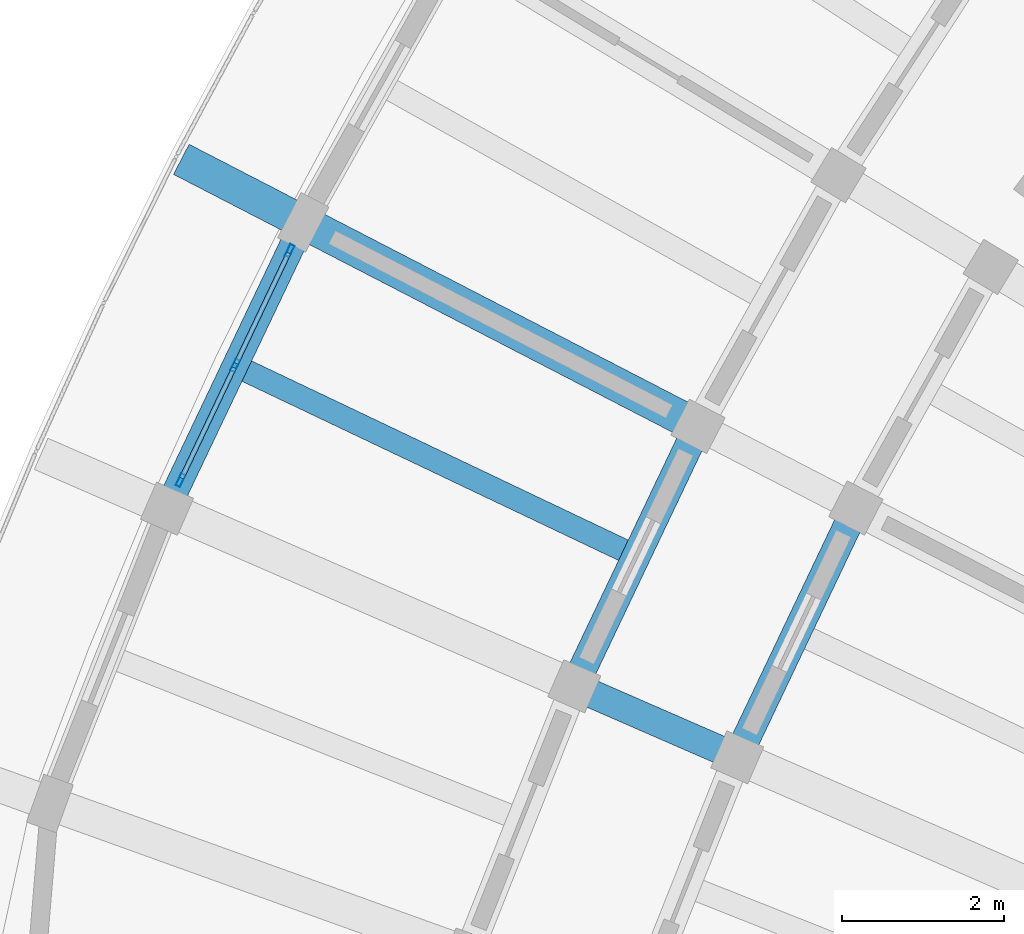
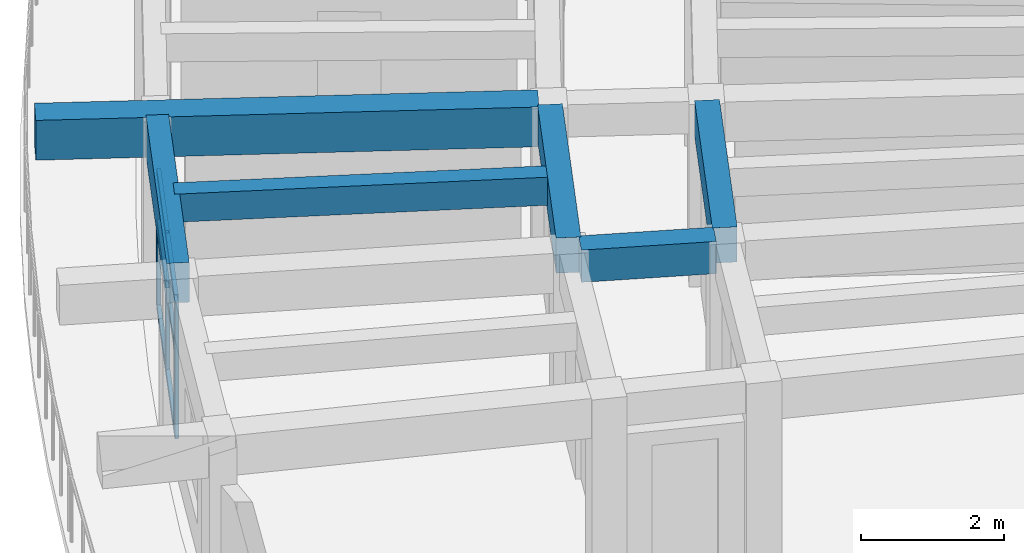
# One storey, part 11 of 62: 9 members, 6 beams, 1 element without a shape of its own.
"""IFC4 building model written with IfcOpenShell, lengths in metres."""

from ifc_helpers import new_model, si_unit, direction, frame, origin, origin_2d, place, context, subcontext, project, spatial, rectangle, hollow_rectangle, extrude, material, material_profile, profile_set, type_object, element, aggregate, save


model = new_model("IFC4")

# Units and contexts
model_context = context("Model", 3, precision=1e-05, world=origin(), true_north=direction((0.0, 1.0)))
body_context = subcontext(model_context, "Body", "Model", "MODEL_VIEW")
ifc_project = project(units=[si_unit("LENGTHUNIT", "METRE"), si_unit("AREAUNIT", "SQUARE_METRE"), si_unit("VOLUMEUNIT", "CUBIC_METRE"), si_unit("PLANEANGLEUNIT", "RADIAN"), si_unit("MASSUNIT", "GRAM", prefix="KILO")], contexts=[model_context])

# Site, building, storey
site_placement = place(None, origin())
site = spatial("IfcSite", under=ifc_project, at=site_placement, CompositionType="ELEMENT")
building_placement = place(site_placement, origin())
building = spatial("IfcBuilding", under=site, at=building_placement, Name="Tanwirah Colonnade Gardens", CompositionType="ELEMENT")
storey_placement = place(building_placement, frame((0.0, 0.0, 32.360107421875)))
storey = spatial("IfcBuildingStorey", under=building, at=storey_placement, Name="L09", CompositionType="ELEMENT", Elevation=32.360107421875)

# Beams
ifc_material_1 = material(Name="Precast concrete C40/50", Category="concrete")
ifc_material_profile_1 = material_profile(ifc_material_1, rectangle(XDim=0.35009765625, YDim=0.550048828125, at=origin_2d()), Name="PC-BM 350x550")
ifc_profile_set_1 = profile_set([ifc_material_profile_1], Name="Precast concrete C40/50")
beam_type_1 = type_object("IfcBeamType", Name="BM-PC350A", PredefinedType="BEAM", material=ifc_profile_set_1)
beam_1_placement = place(storey_placement, frame((17.3330078125, 80.981201171875, 2.83984375), z_axis=(-0.916681481826, 0.399618644306, 0.0), x_axis=(-0.399618644306, -0.916681481826, 0.0)))
element("IfcBeam", 1, at=beam_1_placement, inside=storey, type_object=beam_type_1, Name="Block A L09 Corridor Tie Beam 16", PredefinedType="BEAM", context=body_context, shape_type="SweptSolid", body=[
    extrude(rectangle(XDim=0.35009765625, YDim=0.550048828125, at=origin_2d()), origin(), (0.0, 0.0, 1.0), 1.89990234375),
])
ifc_material_profile_2 = material_profile(ifc_material_1, rectangle(XDim=0.35009765625, YDim=0.60009765625, at=origin_2d()), Name="PC-BM 350x600")
ifc_profile_set_2 = profile_set([ifc_material_profile_2], Name="Precast concrete C40/50")
beam_type_2 = type_object("IfcBeamType", Name="BM-PC350B", PredefinedType="BEAM", material=ifc_profile_set_2)
beam_2_placement = place(storey_placement, frame((18.87451171875, 83.872314453125, 2.81494140625), z_axis=(-0.429620507728, -0.903009534468, 0.0), x_axis=(0.903009534468, -0.429620507728, 0.0)))
element("IfcBeam", 2, at=beam_2_placement, inside=storey, type_object=beam_type_2, Name="Block A L09 Circumferential Beam 15-R1", PredefinedType="BEAM", context=body_context, shape_type="SweptSolid", body=[
    extrude(rectangle(XDim=0.35009765625, YDim=0.60009765625, at=origin_2d()), origin(), (0.0, 0.0, 1.0), 3.1181640625),
])
beam_3_placement = place(storey_placement, frame((16.920166015625, 84.882568359375, 2.81494140625), z_axis=(-0.4295908638, -0.90302363742, 0.0), x_axis=(0.90302363742, -0.4295908638, 0.0)))
element("IfcBeam", 3, at=beam_3_placement, inside=storey, type_object=beam_type_2, Name="Block A L09 Circumferential Beam 15-R2", PredefinedType="BEAM", context=body_context, shape_type="SweptSolid", body=[
    extrude(rectangle(XDim=0.35009765625, YDim=0.60009765625, at=origin_2d()), origin(), (0.0, 0.0, 1.0), 3.26318359375),
])
ifc_material_2 = material(Name="Precast concrete C45/55", Category="concrete")
ifc_material_profile_3 = material_profile(ifc_material_2, rectangle(XDim=0.419921875, YDim=0.679931640625, at=origin_2d()), Name="PC-BM 420x680")
ifc_profile_set_3 = profile_set([ifc_material_profile_3], Name="Precast concrete C45/55")
beam_type_3 = type_object("IfcBeamType", Name="BM-PC420", PredefinedType="BEAM", material=ifc_profile_set_3)
beam_4_placement = place(storey_placement, frame((16.851318359375, 85.0869140625, 2.77490234375), z_axis=(-0.888348690665, 0.459169471758, 0.0), x_axis=(-0.459169471758, -0.888348690665, 0.0)))
element("IfcBeam", 4, at=beam_4_placement, inside=storey, type_object=beam_type_3, Name="Block A L09 Outer Radial Precast Girder 15", PredefinedType="BEAM", context=body_context, shape_type="SweptSolid", body=[
    extrude(rectangle(XDim=0.419921875, YDim=0.679931640625, at=origin_2d()), origin(), (0.0, 0.0, 1.0), 7.0498046875),
])

# Curtain wall, members
ifc_material_3 = material(Name="Bronze-anodised aluminium and solar-control low-E glass", Category="aluminium")
curtain_wall_type = type_object("IfcCurtainWallType", Name="CW-LOB", PredefinedType="NOTDEFINED", material=ifc_material_3)
curtain_wall_placement = place(storey_placement, origin())
curtain_wall = element("IfcCurtainWall", 5, at=curtain_wall_placement, inside=storey, type_object=curtain_wall_type, Name="Curtain Wall CW-A-L09-OUT-15", PredefinedType="NOTDEFINED")
ifc_material_4 = material(Name="Bronze-anodised aluminium", Category="aluminium")
ifc_material_profile_4 = material_profile(ifc_material_4, hollow_rectangle(XDim=0.06005859375, YDim=0.159912109375, WallThickness=0.00390625, at=origin_2d()), Name="CW-MUL 60x160x4")
ifc_profile_set_4 = profile_set([ifc_material_profile_4], Name="Bronze-anodised aluminium")
member_type_1 = type_object("IfcMemberType", Name="CWM-60x160", PredefinedType="MULLION", material=ifc_profile_set_4)
member_1_placement = place(storey_placement, frame((11.93115234375, 87.191162109375, 0.0), z_axis=(0.0, 0.0, 1.0), x_axis=(0.903002430471, -0.429635439138, 0.0)))
member_1 = element("IfcMember", 6, at=member_1_placement, type_object=member_type_1, Name="CW-LOB mullion 1", PredefinedType="MULLION", context=body_context, shape_type="SweptSolid", body=[
    extrude(hollow_rectangle(XDim=0.06005859375, YDim=0.159912109375, WallThickness=0.00390625, at=origin_2d()), origin(), (0.0, 0.0, 1.0), 2.35498046875),
])
member_2_placement = place(storey_placement, frame((11.25537109375, 85.77099609375, 0.0), z_axis=(0.0, 0.0, 1.0), x_axis=(0.903002430471, -0.429635439138, 0.0)))
member_2 = element("IfcMember", 7, at=member_2_placement, type_object=member_type_1, Name="CW-LOB mullion 2", PredefinedType="MULLION", context=body_context, shape_type="SweptSolid", body=[
    extrude(hollow_rectangle(XDim=0.06005859375, YDim=0.159912109375, WallThickness=0.00390625, at=origin_2d()), origin(), (0.0, 0.0, 1.0), 2.35498046875),
])
member_3_placement = place(storey_placement, frame((10.57958984375, 84.3505859375, 0.0), z_axis=(0.0, 0.0, 1.0), x_axis=(0.903002430471, -0.429635439138, 0.0)))
member_3 = element("IfcMember", 8, at=member_3_placement, type_object=member_type_1, Name="CW-LOB mullion 3", PredefinedType="MULLION", context=body_context, shape_type="SweptSolid", body=[
    extrude(hollow_rectangle(XDim=0.06005859375, YDim=0.159912109375, WallThickness=0.00390625, at=origin_2d()), origin(), (0.0, 0.0, 1.0), 2.35498046875),
])
ifc_material_profile_5 = material_profile(ifc_material_4, hollow_rectangle(XDim=0.06005859375, YDim=0.1201171875, WallThickness=0.00390625, at=origin_2d()), Name="CW-TRN 60x120x4")
ifc_profile_set_5 = profile_set([ifc_material_profile_5], Name="Bronze-anodised aluminium")
member_type_2 = type_object("IfcMemberType", Name="CWT-60x120", PredefinedType="USERDEFINED", material=ifc_profile_set_5)
member_4_placement = place(storey_placement, frame((11.918212890625, 87.1640625, 0.02978515625), z_axis=(-0.429632843209, -0.903003665572, 0.0), x_axis=(0.903003665572, -0.429632843209, 0.0)))
member_4 = element("IfcMember", 9, at=member_4_placement, type_object=member_type_2, Name="CW-LOB transom 1.1", ObjectType="TRANSOM", PredefinedType="USERDEFINED", context=body_context, shape_type="SweptSolid", body=[
    extrude(hollow_rectangle(XDim=0.06005859375, YDim=0.1201171875, WallThickness=0.00390625, at=origin_2d()), origin(), (0.0, 0.0, 1.0), 1.5126953125),
])
member_5_placement = place(storey_placement, frame((11.918212890625, 87.1640625, 1.4599609375), z_axis=(-0.429632843209, -0.903003665572, 0.0), x_axis=(0.903003665572, -0.429632843209, 0.0)))
member_5 = element("IfcMember", 10, at=member_5_placement, type_object=member_type_2, Name="CW-LOB transom 1.2", ObjectType="TRANSOM", PredefinedType="USERDEFINED", context=body_context, shape_type="SweptSolid", body=[
    extrude(hollow_rectangle(XDim=0.06005859375, YDim=0.1201171875, WallThickness=0.00390625, at=origin_2d()), origin(), (0.0, 0.0, 1.0), 1.5126953125),
])
member_6_placement = place(storey_placement, frame((11.918212890625, 87.1640625, 2.324951171875), z_axis=(-0.429632843209, -0.903003665572, 0.0), x_axis=(0.903003665572, -0.429632843209, 0.0)))
member_6 = element("IfcMember", 11, at=member_6_placement, type_object=member_type_2, Name="CW-LOB transom 1.3", ObjectType="TRANSOM", PredefinedType="USERDEFINED", context=body_context, shape_type="SweptSolid", body=[
    extrude(hollow_rectangle(XDim=0.06005859375, YDim=0.1201171875, WallThickness=0.00390625, at=origin_2d()), origin(), (0.0, 0.0, 1.0), 1.5126953125),
])
member_7_placement = place(storey_placement, frame((11.242431640625, 85.743896484375, 0.02978515625), z_axis=(-0.429570236585, -0.903033450012, 0.0), x_axis=(0.903033450012, -0.429570236585, 0.0)))
member_7 = element("IfcMember", 12, at=member_7_placement, type_object=member_type_2, Name="CW-LOB transom 2.1", ObjectType="TRANSOM", PredefinedType="USERDEFINED", context=body_context, shape_type="SweptSolid", body=[
    extrude(hollow_rectangle(XDim=0.06005859375, YDim=0.1201171875, WallThickness=0.00390625, at=origin_2d()), origin(), (0.0, 0.0, 1.0), 1.512939453125),
])
member_8_placement = place(storey_placement, frame((11.242431640625, 85.743896484375, 1.4599609375), z_axis=(-0.429570236585, -0.903033450012, 0.0), x_axis=(0.903033450012, -0.429570236585, 0.0)))
member_8 = element("IfcMember", 13, at=member_8_placement, type_object=member_type_2, Name="CW-LOB transom 2.2", ObjectType="TRANSOM", PredefinedType="USERDEFINED", context=body_context, shape_type="SweptSolid", body=[
    extrude(hollow_rectangle(XDim=0.06005859375, YDim=0.1201171875, WallThickness=0.00390625, at=origin_2d()), origin(), (0.0, 0.0, 1.0), 1.512939453125),
])
member_9_placement = place(storey_placement, frame((11.242431640625, 85.743896484375, 2.324951171875), z_axis=(-0.429570236585, -0.903033450012, 0.0), x_axis=(0.903033450012, -0.429570236585, 0.0)))
member_9 = element("IfcMember", 14, at=member_9_placement, type_object=member_type_2, Name="CW-LOB transom 2.3", ObjectType="TRANSOM", PredefinedType="USERDEFINED", context=body_context, shape_type="SweptSolid", body=[
    extrude(hollow_rectangle(XDim=0.06005859375, YDim=0.1201171875, WallThickness=0.00390625, at=origin_2d()), origin(), (0.0, 0.0, 1.0), 1.512939453125),
])
aggregate(curtain_wall, [member_1, member_2, member_3, member_4, member_5, member_6, member_7, member_8, member_9])

# Beams
ifc_material_profile_6 = material_profile(ifc_material_1, rectangle(XDim=0.280029296875, YDim=0.47998046875, at=origin_2d()), Name="PC-JST 280x480")
ifc_profile_set_6 = profile_set([ifc_material_profile_6], Name="Precast concrete C40/50")
beam_type_4 = type_object("IfcBeamType", Name="JST-PC280", PredefinedType="JOIST", material=ifc_profile_set_6)
beam_5_placement = place(storey_placement, frame((16.08447265625, 83.473388671875, 2.875), z_axis=(-0.903018314862, 0.429602051931, 0.0), x_axis=(-0.429602051931, -0.903018314862, 0.0)))
element("IfcBeam", 15, at=beam_5_placement, inside=storey, type_object=beam_type_4, Name="Block A L09 Precast Floor Joist 15", PredefinedType="JOIST", context=body_context, shape_type="SweptSolid", body=[
    extrude(rectangle(XDim=0.280029296875, YDim=0.47998046875, at=origin_2d()), origin(), (0.0, 0.0, 1.0), 5.26025390625),
])
ifc_material_profile_7 = material_profile(ifc_material_2, rectangle(XDim=0.320068359375, YDim=0.679931640625, at=origin_2d()), Name="PC-SP 320x680")
ifc_profile_set_7 = profile_set([ifc_material_profile_7], Name="Precast concrete C45/55")
beam_type_5 = type_object("IfcBeamType", Name="SP-PC320", PredefinedType="SPANDREL", material=ifc_profile_set_7)
beam_6_placement = place(storey_placement, frame((12.0341796875, 87.407958984375, 2.77490234375), z_axis=(-0.429593766142, -0.903022256698, 0.0), x_axis=(0.903022256698, -0.429593766142, 0.0)))
element("IfcBeam", 16, at=beam_6_placement, inside=storey, type_object=beam_type_5, Name="Block A L09 Circumferential Beam 15-R3", PredefinedType="SPANDREL", context=body_context, shape_type="SweptSolid", body=[
    extrude(rectangle(XDim=0.320068359375, YDim=0.679931640625, at=origin_2d()), origin(), (0.0, 0.0, 1.0), 3.625732421875),
])

save(model, "model.ifc")
